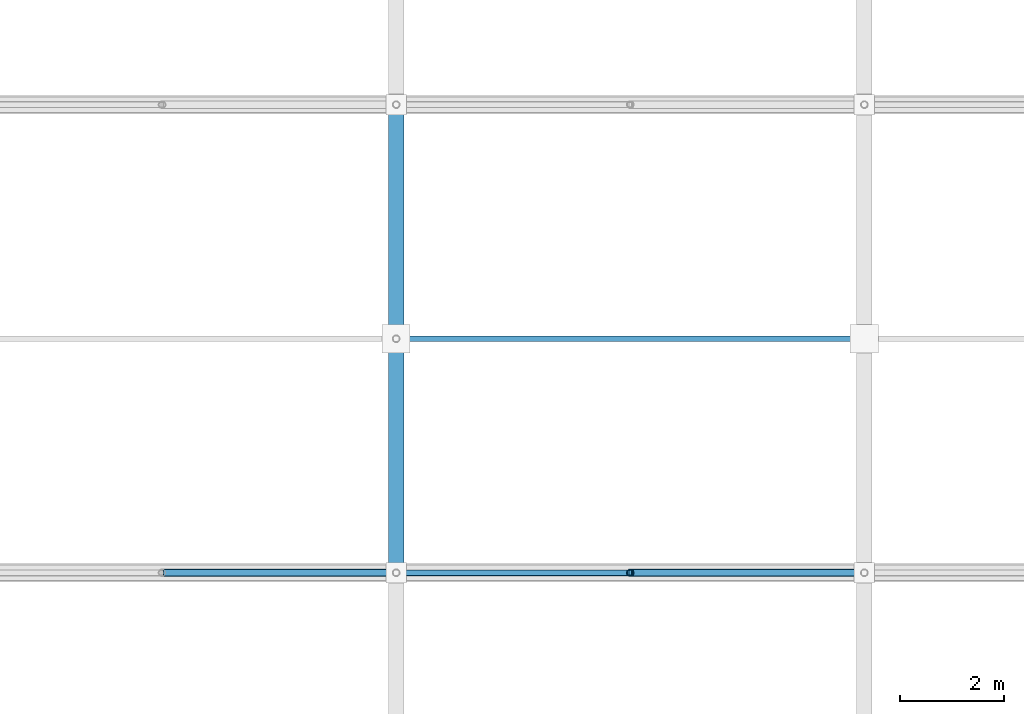
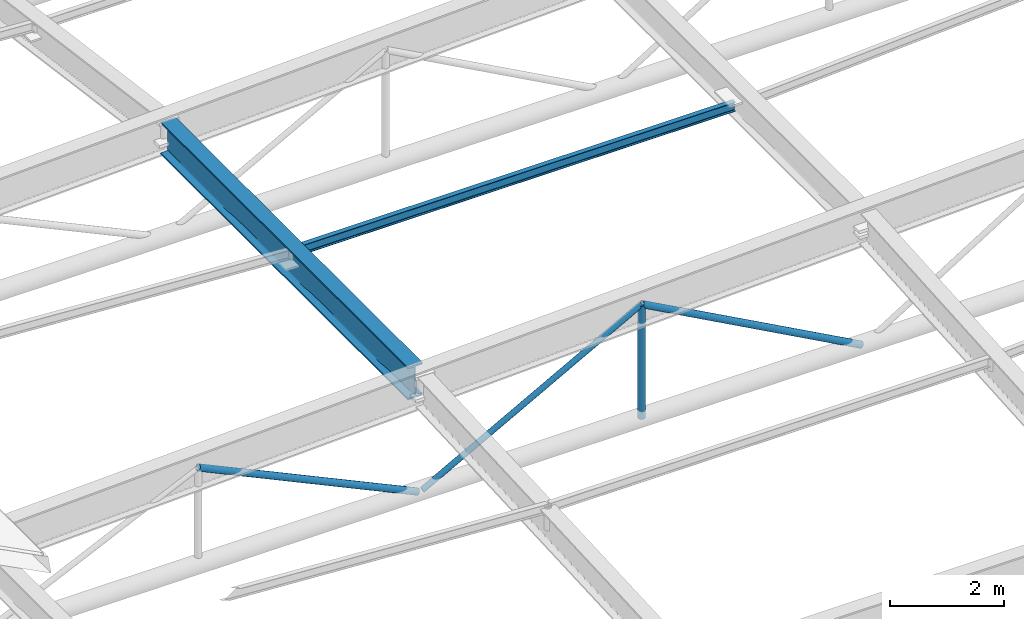
# One storey, part 19 of 80: 5 members, 1 beam.
"""IFC4 building model written with IfcOpenShell, lengths in metres."""

from ifc_helpers import new_model, si_unit, direction, frame, origin, origin_2d, place, context, subcontext, project, spatial, hollow_circle, i_section, extrude, material, material_profile, profile_set, type_object, element, save


model = new_model("IFC4")

# Units and contexts
model_context = context("Model", 3, precision=1e-05, world=origin(), true_north=direction((0.0, 1.0)))
body_context = subcontext(model_context, "Body", "Model", "MODEL_VIEW")
ifc_project = project(units=[si_unit("LENGTHUNIT", "METRE"), si_unit("AREAUNIT", "SQUARE_METRE"), si_unit("VOLUMEUNIT", "CUBIC_METRE"), si_unit("PLANEANGLEUNIT", "RADIAN"), si_unit("MASSUNIT", "GRAM", prefix="KILO")], contexts=[model_context])

# Site, building, storey
site_placement = place(None, origin())
site = spatial("IfcSite", under=ifc_project, at=site_placement, CompositionType="ELEMENT")
building_placement = place(site_placement, origin())
building = spatial("IfcBuilding", under=site, at=building_placement, Name="Barlavento Convention Centre", CompositionType="ELEMENT")
storey_placement = place(building_placement, frame((0.0, 0.0, 29.800048828125)))
storey = spatial("IfcBuildingStorey", under=building, at=storey_placement, Name="RF", CompositionType="ELEMENT", Elevation=29.800048828125)

# Beam
ifc_material_1 = material(Name="Steel S460", Category="steel")
ifc_material_profile_1 = material_profile(ifc_material_1, i_section(OverallWidth=0.300048828125, OverallDepth=0.699951171875, WebThickness=0.01708984375, FlangeThickness=0.031982421875, FilletRadius=0.027099609375, at=origin_2d()), Name="HEB 700")
ifc_profile_set_1 = profile_set([ifc_material_profile_1], Name="Steel S460")
beam_type = type_object("IfcBeamType", Name="STR-BM-TRUSS-TOP-HEB700", PredefinedType="BEAM", material=ifc_profile_set_1)
beam_placement = place(storey_placement, frame((27.0, 18.155029296875, -0.903076171875), z_axis=(0.0, 1.0, 0.0), x_axis=(-1.0, 0.0, 0.0)))
element("IfcBeam", 1, at=beam_placement, inside=storey, type_object=beam_type, Name="Congress roof truss space frame chord", PredefinedType="BEAM", context=body_context, shape_type="SweptSolid", body=[
    extrude(i_section(OverallWidth=0.300048828125, OverallDepth=0.699951171875, WebThickness=0.01708984375, FlangeThickness=0.031982421875, FilletRadius=0.027099609375, at=origin_2d()), origin(), (0.0, 0.0, 1.0), 8.68994140625),
])

# Members
ifc_material_2 = material(Name="Steel S355", Category="steel")
ifc_material_profile_2 = material_profile(ifc_material_2, hollow_circle(Radius=0.05712890625, WallThickness=0.00634765625, at=origin_2d()), Name="CHS 114.3x6.3")
ifc_profile_set_2 = profile_set([ifc_material_profile_2], Name="Steel S355")
member_type_1 = type_object("IfcMemberType", Name="STR-MEM-DIAG-CHS114", PredefinedType="BRACE", material=ifc_profile_set_2)
member_1_placement = place(storey_placement, frame((27.050048828125, 18.0, -3.15625), z_axis=(0.877693065925, 0.0, 0.479223206896), x_axis=(0.0, 1.0, 0.0)))
element("IfcMember", 2, at=member_1_placement, inside=storey, type_object=member_type_1, Name="Plenary hall roof truss web member", PredefinedType="BRACE", context=body_context, shape_type="SweptSolid", body=[
    extrude(hollow_circle(Radius=0.05712890625, WallThickness=0.00634765625, at=origin_2d()), origin(), (0.0, 0.0, 1.0), 5.070068359375),
])
ifc_material_profile_3 = material_profile(ifc_material_2, hollow_circle(Radius=0.06982421875, WallThickness=0.008056640625, at=origin_2d()), Name="CHS 139.7x8.0")
ifc_profile_set_3 = profile_set([ifc_material_profile_3], Name="Steel S355")
member_type_2 = type_object("IfcMemberType", Name="STR-MEM-DIAG-CHS139", PredefinedType="BRACE", material=ifc_profile_set_3)
member_2_placement = place(storey_placement, frame((22.5, 18.0, -1.079833984375), z_axis=(0.906200921367, 0.0, -0.422847360302), x_axis=(0.0, 1.0, 0.0)))
element("IfcMember", 3, at=member_2_placement, inside=storey, type_object=member_type_2, Name="Plenary hall roof truss web member", PredefinedType="BRACE", context=body_context, shape_type="SweptSolid", body=[
    extrude(hollow_circle(Radius=0.06982421875, WallThickness=0.008056640625, at=origin_2d()), origin(), (0.0, 0.0, 1.0), 4.91064453125),
])
member_3_placement = place(storey_placement, frame((31.5, 18.0, -3.15625), z_axis=(0.0, 0.0, 1.0), x_axis=(1.0, 0.0, 0.0)))
element("IfcMember", 4, at=member_3_placement, inside=storey, type_object=member_type_2, Name="Plenary hall roof truss web member", PredefinedType="BRACE", context=body_context, shape_type="SweptSolid", body=[
    extrude(hollow_circle(Radius=0.06982421875, WallThickness=0.008056640625, at=origin_2d()), origin(), (0.0, 0.0, 1.0), 2.4296875),
])
member_4_placement = place(storey_placement, frame((31.5, 18.0, -0.7265625), z_axis=(0.877693065925, 0.0, -0.479223206896), x_axis=(0.0, 1.0, 0.0)))
element("IfcMember", 5, at=member_4_placement, inside=storey, type_object=member_type_2, Name="Plenary hall roof truss web member", PredefinedType="BRACE", context=body_context, shape_type="SweptSolid", body=[
    extrude(hollow_circle(Radius=0.06982421875, WallThickness=0.008056640625, at=origin_2d()), origin(), (0.0, 0.0, 1.0), 5.070068359375),
])
ifc_material_profile_4 = material_profile(ifc_material_2, i_section(OverallWidth=0.10009765625, OverallDepth=0.199951171875, WebThickness=0.005615234375, FlangeThickness=0.008544921875, FilletRadius=0.011962890625, at=origin_2d()), Name="IPE 200")
ifc_profile_set_4 = profile_set([ifc_material_profile_4], Name="Steel S355")
member_type_3 = type_object("IfcMemberType", Name="STR-MEM-PUR-IPE200", PredefinedType="PURLIN", material=ifc_profile_set_4)
member_5_placement = place(storey_placement, frame((27.02001953125, 22.5, -0.762939453125), z_axis=(1.0, 0.0, 0.0), x_axis=(0.0, 1.0, 0.0)))
element("IfcMember", 6, at=member_5_placement, inside=storey, type_object=member_type_3, Name="Congress roof intermediate purlin PR01", PredefinedType="PURLIN", context=body_context, shape_type="SweptSolid", body=[
    extrude(i_section(OverallWidth=0.10009765625, OverallDepth=0.199951171875, WebThickness=0.005615234375, FlangeThickness=0.008544921875, FilletRadius=0.011962890625, at=origin_2d()), origin(), (0.0, 0.0, 1.0), 8.9599609375),
])

save(model, "model.ifc")
